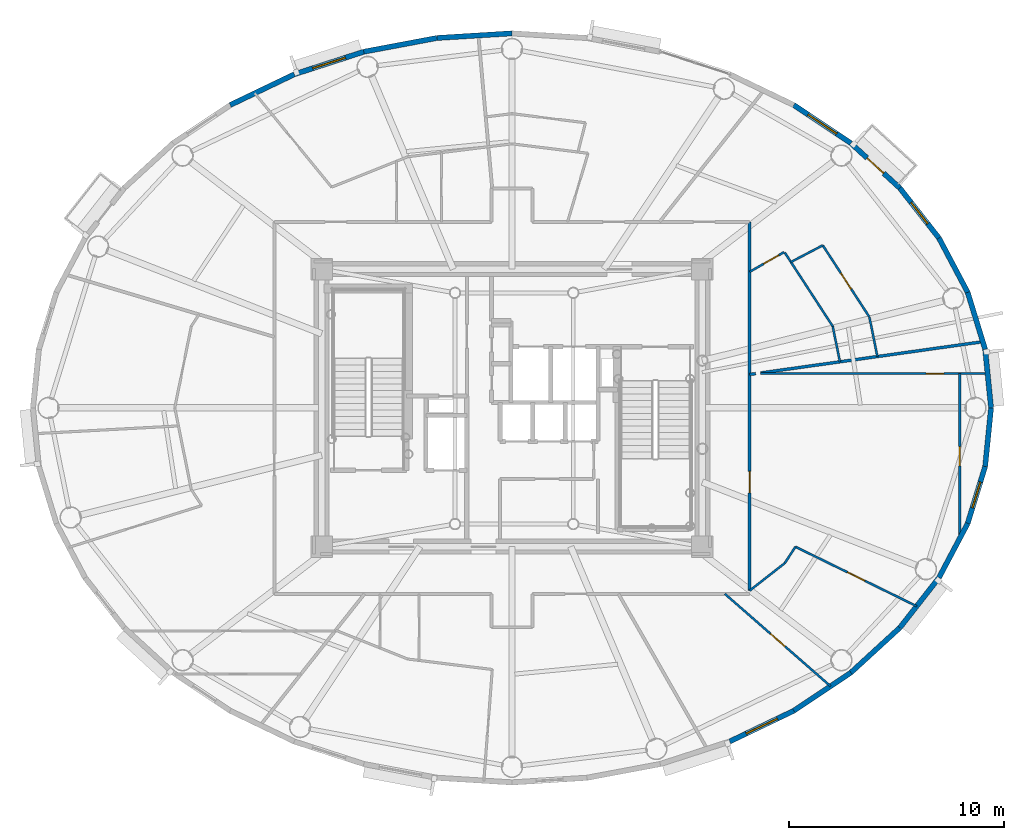
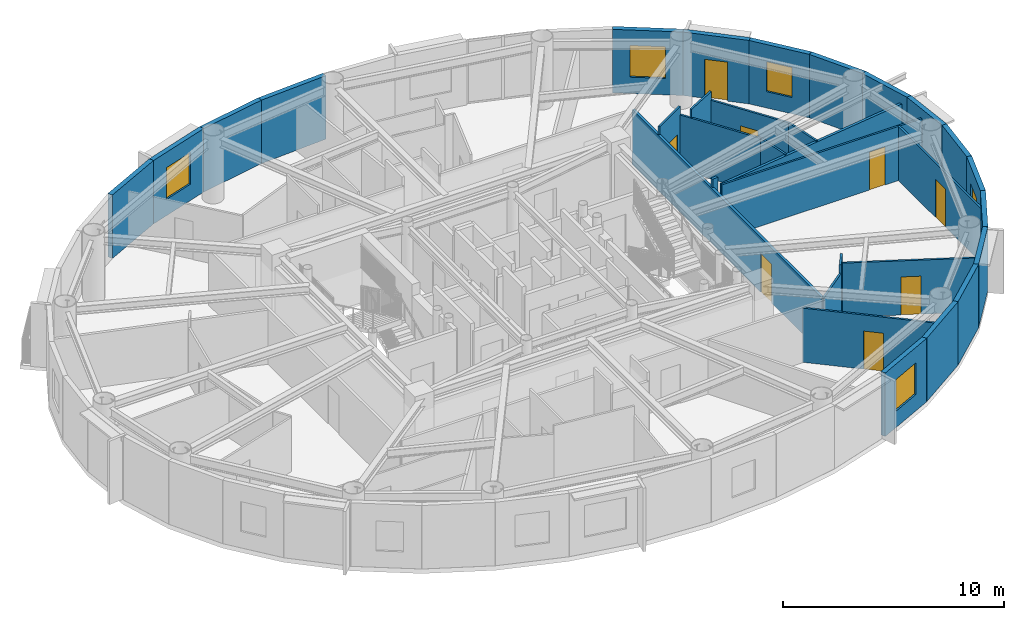
# One storey, part 9 of 17: 32 walls, 8 doors, 5 windows, 13 openings.
"""IFC4 building model written with IfcOpenShell, lengths in metres."""

from ifc_helpers import new_model, si_unit, direction, frame, frame_2d, origin, origin_2d, place, context, subcontext, project, spatial, rectangle, extrude, source, transform, mapped, material, layer, layer_set, type_object, element, fill, save


model = new_model("IFC4")

# Units and contexts
model_context = context("Model", 3, precision=1e-05, world=origin(), true_north=direction((0.0, 1.0)))
body_context = subcontext(model_context, "Body", "Model", "MODEL_VIEW")
ifc_project = project(units=[si_unit("LENGTHUNIT", "METRE"), si_unit("AREAUNIT", "SQUARE_METRE"), si_unit("VOLUMEUNIT", "CUBIC_METRE"), si_unit("PLANEANGLEUNIT", "RADIAN"), si_unit("MASSUNIT", "GRAM", prefix="KILO")], contexts=[model_context])

# Site, building, storey
site_placement = place(None, origin())
site = spatial("IfcSite", under=ifc_project, at=site_placement, CompositionType="ELEMENT")
building_placement = place(site_placement, origin())
building = spatial("IfcBuilding", under=site, at=building_placement, Name="Linh Dai School and Residence Tower", CompositionType="ELEMENT")
storey_placement = place(building_placement, frame((0.0, 0.0, 276.75)))
storey = spatial("IfcBuildingStorey", under=building, at=storey_placement, Name="L68", CompositionType="ELEMENT", Elevation=276.75)

# Walls
ifc_material_1 = material(Name="Precast Concrete B45 (C35/45)", Category="concrete")
ifc_layer_1 = layer(ifc_material_1, 0.239990234375)
ifc_layer_set_1 = layer_set([ifc_layer_1], Name="Precast Concrete B45 (C35/45)")
wall_type_1 = type_object("IfcWallType", Name="EW-TC-240", PredefinedType="SOLIDWALL", material=ifc_layer_set_1)
wall_1_placement = place(storey_placement, frame((58.001708984375, 29.718994140625, 0.0), z_axis=(0.0, 0.0, 1.0), x_axis=(0.099972526841, -0.99499019788, 0.0)))
element("IfcWall", 1, at=wall_1_placement, inside=storey, type_object=wall_type_1, Name="L68 Terracotta Exterior Wall 01", PredefinedType="SOLIDWALL", context=body_context, shape_type="SweptSolid", body=[
    extrude(rectangle(XDim=2.732666015625, YDim=0.239990234375, at=frame_2d((1.3662109375, 0.0))), origin(), (0.0, 0.0, 1.0), 3.5),
])
wall_2_placement = place(storey_placement, frame((57.188232421875, 32.372314453125, 0.0), z_axis=(0.0, 0.0, 1.0), x_axis=(0.2931213403, -0.956075248012, 0.0)))
element("IfcWall", 2, at=wall_2_placement, inside=storey, type_object=wall_type_1, Name="L68 Terracotta Exterior Wall 02", PredefinedType="SOLIDWALL", context=body_context, shape_type="SweptSolid", body=[
    extrude(rectangle(XDim=2.775146484375, YDim=0.239990234375, at=frame_2d((1.3876953125, 0.0))), origin(), (0.0, 0.0, 1.0), 3.5),
])
wall_3_placement = place(storey_placement, frame((55.853759765625, 34.894775390625, 0.0), z_axis=(0.0, 0.0, 1.0), x_axis=(0.467628269026, -0.883925224218, 0.0)))
element("IfcWall", 3, at=wall_3_placement, inside=storey, type_object=wall_type_1, Name="L68 Terracotta Exterior Wall 03", PredefinedType="SOLIDWALL", context=body_context, shape_type="SweptSolid", body=[
    extrude(rectangle(XDim=2.853759765625, YDim=0.239990234375, at=frame_2d((1.4267578125, 0.0))), origin(), (0.0, 0.0, 1.0), 3.5),
])

# Wall, opening, window
wall_4_placement = place(storey_placement, frame((54.0302734375, 37.224609375, 0.0), z_axis=(0.0, 0.0, 1.0), x_axis=(0.616337186556, -0.787482363275, 0.0)))
wall_4 = element("IfcWall", 4, at=wall_4_placement, inside=storey, type_object=wall_type_1, Name="L68 Terracotta Exterior Wall 04", PredefinedType="SOLIDWALL", context=body_context, shape_type="SweptSolid", body=[
    extrude(rectangle(XDim=2.95849609375, YDim=0.239990234375, at=frame_2d((1.479248046875, 0.0))), origin(), (0.0, 0.0, 1.0), 3.5),
])
opening_1_placement = place(wall_4_placement, frame((0.85400390625, 0.0, 0.89990234375)))
opening_1 = element("IfcOpeningElement", 5, at=opening_1_placement, cuts=wall_4, Name="Opening W3", PredefinedType="OPENING", context=body_context, shape_type="SweptSolid", body=[
    extrude(rectangle(XDim=1.25, YDim=1.64990234375, at=origin_2d()), frame((0.625, 0.1298828125, 0.824951171875), z_axis=(0.0, -1.0, 0.0), x_axis=(1.0, 0.0, 0.0)), (0.0, 0.0, 1.0), 0.260009765625),
])
ifc_material_2 = material(Name="Double Low-E Insulated Glazing", Category="glass")
window_type_1 = type_object("IfcWindowType", Name="WN-RES-1250x1650", PartitioningType="SINGLE_PANEL", PredefinedType="WINDOW", material=ifc_material_2)
shared_shape_1 = source(origin(), body_context, "Body", "SweptSolid", [
    extrude(rectangle(XDim=1.25, YDim=1.64990234375, at=origin_2d()), frame((0.625, 0.030029296875, 0.824951171875), z_axis=(0.0, -1.0, 0.0), x_axis=(1.0, 0.0, 0.0)), (0.0, 0.0, 1.0), 0.06005859375),
])
window_1_placement = place(opening_1_placement, origin())
window_1 = element("IfcWindow", 6, at=window_1_placement, inside=storey, type_object=window_type_1, Name="L68 Exterior Window 04.1", OverallHeight=1.64990234375, OverallWidth=1.25, PartitioningType="SINGLE_PANEL", PredefinedType="WINDOW", context=body_context, shape_type="MappedRepresentation", body=[
    mapped(shared_shape_1, transform((0.0, 0.0, 0.0), x_axis=(1.0, 0.0, 0.0), y_axis=(0.0, 1.0, 0.0), z_axis=(0.0, 0.0, 1.0), scale=1.0)),
])
fill(opening_1, window_1)

# Wall, opening, door
wall_5_placement = place(storey_placement, frame((51.76220703125, 39.30419921875, 0.0), z_axis=(0.0, 0.0, 1.0), x_axis=(0.737068506972, -0.675818034703, 0.0)))
wall_5 = element("IfcWall", 7, at=wall_5_placement, inside=storey, type_object=wall_type_1, Name="L68 Terracotta Exterior Wall 05", PredefinedType="SOLIDWALL", context=body_context, shape_type="SweptSolid", body=[
    extrude(rectangle(XDim=3.0771484375, YDim=0.239990234375, at=frame_2d((1.53857421875, 0.0))), origin(), (0.0, 0.0, 1.0), 3.5),
])
opening_2_placement = place(wall_5_placement, frame((1.013671875, 0.0, 0.0)))
opening_2 = element("IfcOpeningElement", 8, at=opening_2_placement, cuts=wall_5, Name="Opening BD1", PredefinedType="OPENING", context=body_context, shape_type="SweptSolid", body=[
    extrude(rectangle(XDim=1.050048828125, YDim=2.14990234375, at=origin_2d()), frame((0.52490234375, 0.1298828125, 1.074951171875), z_axis=(0.0, -1.0, 0.0), x_axis=(1.0, 0.0, 0.0)), (0.0, 0.0, 1.0), 0.260009765625),
])
ifc_material_3 = material(Name="Double-Glazed Balcony Door", Category="glass")
door_type_1 = type_object("IfcDoorType", Name="DR-BALC-1050x2150", OperationType="NOTDEFINED", PredefinedType="DOOR", material=ifc_material_3)
shared_shape_2 = source(origin(), body_context, "Body", "SweptSolid", [
    extrude(rectangle(XDim=1.050048828125, YDim=2.14990234375, at=origin_2d()), frame((0.52490234375, 0.02490234375, 1.074951171875), z_axis=(0.0, -1.0, 0.0), x_axis=(1.0, 0.0, 0.0)), (0.0, 0.0, 1.0), 0.050048828125),
])
door_1_placement = place(opening_2_placement, origin())
door_1 = element("IfcDoor", 9, at=door_1_placement, inside=storey, type_object=door_type_1, Name="L68 Glazed Balcony Door 05", OperationType="SINGLE_SWING_LEFT", OverallHeight=2.14990234375, OverallWidth=1.050048828125, PredefinedType="DOOR", context=body_context, shape_type="MappedRepresentation", body=[
    mapped(shared_shape_2, transform((0.0, 0.0, 0.0), x_axis=(1.0, 0.0, 0.0), y_axis=(0.0, 1.0, 0.0), z_axis=(0.0, 0.0, 1.0), scale=1.0)),
])
fill(opening_2, door_1)

# Wall, opening, window
wall_6_placement = place(storey_placement, frame((49.1044921875, 41.08154296875, 0.0), z_axis=(0.0, 0.0, 1.0), x_axis=(0.831250592635, -0.55589787933, 0.0)))
wall_6 = element("IfcWall", 10, at=wall_6_placement, inside=storey, type_object=wall_type_1, Name="L68 Terracotta Exterior Wall 06", PredefinedType="SOLIDWALL", context=body_context, shape_type="SweptSolid", body=[
    extrude(rectangle(XDim=3.197265625, YDim=0.239990234375, at=frame_2d((1.5986328125, 0.0))), origin(), (0.0, 0.0, 1.0), 3.5),
])
opening_3_placement = place(wall_6_placement, frame((0.79833984375, 0.0, 0.89990234375)))
opening_3 = element("IfcOpeningElement", 11, at=opening_3_placement, cuts=wall_6, Name="Opening W2", PredefinedType="OPENING", context=body_context, shape_type="SweptSolid", body=[
    extrude(rectangle(XDim=1.60009765625, YDim=1.75, at=origin_2d()), frame((0.800048828125, 0.1298828125, 0.875), z_axis=(0.0, -1.0, 0.0), x_axis=(1.0, 0.0, 0.0)), (0.0, 0.0, 1.0), 0.260009765625),
])
window_type_2 = type_object("IfcWindowType", Name="WN-RES-1600x1750", PartitioningType="DOUBLE_PANEL_VERTICAL", PredefinedType="WINDOW", material=ifc_material_2)
shared_shape_3 = source(origin(), body_context, "Body", "SweptSolid", [
    extrude(rectangle(XDim=1.60009765625, YDim=1.75, at=origin_2d()), frame((0.800048828125, 0.030029296875, 0.875), z_axis=(0.0, -1.0, 0.0), x_axis=(1.0, 0.0, 0.0)), (0.0, 0.0, 1.0), 0.06005859375),
])
window_2_placement = place(opening_3_placement, origin())
window_2 = element("IfcWindow", 12, at=window_2_placement, inside=storey, type_object=window_type_2, Name="L68 Exterior Window 06.1", OverallHeight=1.75, OverallWidth=1.60009765625, PartitioningType="DOUBLE_PANEL_VERTICAL", PredefinedType="WINDOW", context=body_context, shape_type="MappedRepresentation", body=[
    mapped(shared_shape_3, transform((0.0, 0.0, 0.0), x_axis=(1.0, 0.0, 0.0), y_axis=(0.0, 1.0, 0.0), z_axis=(0.0, 0.0, 1.0), scale=1.0)),
])
fill(opening_3, window_2)

# Walls
wall_7_placement = place(storey_placement, frame((32.51123046875, 44.199951171875, 0.0), z_axis=(0.0, 0.0, 1.0), x_axis=(0.998104946479, 0.061534671648, 0.0)))
element("IfcWall", 13, at=wall_7_placement, inside=storey, type_object=wall_type_1, Name="L68 Terracotta Exterior Wall 11", PredefinedType="SOLIDWALL", context=body_context, shape_type="SweptSolid", body=[
    extrude(rectangle(XDim=3.495361328125, YDim=0.239990234375, at=frame_2d((1.74755859375, 0.0))), origin(), (0.0, 0.0, 1.0), 3.5),
])
wall_8_placement = place(storey_placement, frame((29.10888671875, 43.560302734375, 0.0), z_axis=(0.0, 0.0, 1.0), x_axis=(0.982782655757, 0.184765395959, 0.0)))
element("IfcWall", 14, at=wall_8_placement, inside=storey, type_object=wall_type_1, Name="L68 Terracotta Exterior Wall 12", PredefinedType="SOLIDWALL", context=body_context, shape_type="SweptSolid", body=[
    extrude(rectangle(XDim=3.4619140625, YDim=0.239990234375, at=frame_2d((1.73095703125, 0.0))), origin(), (0.0, 0.0, 1.0), 3.5),
])

# Wall, opening, window
wall_9_placement = place(storey_placement, frame((25.876953125, 42.51220703125, 0.0), z_axis=(0.0, 0.0, 1.0), x_axis=(0.95123136723, 0.308478339592, 0.0)))
wall_9 = element("IfcWall", 15, at=wall_9_placement, inside=storey, type_object=wall_type_1, Name="L68 Terracotta Exterior Wall 13", PredefinedType="SOLIDWALL", context=body_context, shape_type="SweptSolid", body=[
    extrude(rectangle(XDim=3.397705078125, YDim=0.239990234375, at=frame_2d((1.69873046875, 0.0))), origin(), (0.0, 0.0, 1.0), 3.5),
])
opening_4_placement = place(wall_9_placement, frame((0.89892578125, 0.0, 0.89990234375)))
opening_4 = element("IfcOpeningElement", 16, at=opening_4_placement, cuts=wall_9, Name="Opening W2", PredefinedType="OPENING", context=body_context, shape_type="SweptSolid", body=[
    extrude(rectangle(XDim=1.60009765625, YDim=1.75, at=origin_2d()), frame((0.800048828125, 0.1298828125, 0.875), z_axis=(0.0, -1.0, 0.0), x_axis=(1.0, 0.0, 0.0)), (0.0, 0.0, 1.0), 0.260009765625),
])
window_3_placement = place(opening_4_placement, origin())
window_3 = element("IfcWindow", 17, at=window_3_placement, inside=storey, type_object=window_type_2, Name="L68 Exterior Window 13.1", OverallHeight=1.75, OverallWidth=1.60009765625, PartitioningType="DOUBLE_PANEL_VERTICAL", PredefinedType="WINDOW", context=body_context, shape_type="MappedRepresentation", body=[
    mapped(shared_shape_3, transform((0.0, 0.0, 0.0), x_axis=(1.0, 0.0, 0.0), y_axis=(0.0, 1.0, 0.0), z_axis=(0.0, 0.0, 1.0), scale=1.0)),
])
fill(opening_4, window_3)

# Wall
wall_10_placement = place(storey_placement, frame((22.8955078125, 41.08154296875, 0.0), z_axis=(0.0, 0.0, 1.0), x_axis=(0.901573741254, 0.43262546051, 0.0)))
element("IfcWall", 18, at=wall_10_placement, inside=storey, type_object=wall_type_1, Name="L68 Terracotta Exterior Wall 14", PredefinedType="SOLIDWALL", context=body_context, shape_type="SweptSolid", body=[
    extrude(rectangle(XDim=3.306884765625, YDim=0.239990234375, at=frame_2d((1.6533203125, 0.0))), origin(), (0.0, 0.0, 1.0), 3.5),
])

# Wall, opening, window
wall_11_placement = place(storey_placement, frame((49.1044921875, 12.91845703125, 0.0), z_axis=(0.0, 0.0, 1.0), x_axis=(-0.901573741254, -0.43262546051, 0.0)))
wall_11 = element("IfcWall", 19, at=wall_11_placement, inside=storey, type_object=wall_type_1, Name="L68 Terracotta Exterior Wall 34", PredefinedType="SOLIDWALL", context=body_context, shape_type="SweptSolid", body=[
    extrude(rectangle(XDim=3.306884765625, YDim=0.239990234375, at=frame_2d((1.6533203125, 0.0))), origin(), (0.0, 0.0, 1.0), 3.5),
])
opening_5_placement = place(wall_11_placement, frame((0.853515625, 0.0, 0.89990234375)))
opening_5 = element("IfcOpeningElement", 20, at=opening_5_placement, cuts=wall_11, Name="Opening W2", PredefinedType="OPENING", context=body_context, shape_type="SweptSolid", body=[
    extrude(rectangle(XDim=1.60009765625, YDim=1.75, at=origin_2d()), frame((0.800048828125, 0.1298828125, 0.875), z_axis=(0.0, -1.0, 0.0), x_axis=(1.0, 0.0, 0.0)), (0.0, 0.0, 1.0), 0.260009765625),
])
window_4_placement = place(opening_5_placement, origin())
window_4 = element("IfcWindow", 21, at=window_4_placement, inside=storey, type_object=window_type_2, Name="L68 Exterior Window 34.1", OverallHeight=1.75, OverallWidth=1.60009765625, PartitioningType="DOUBLE_PANEL_VERTICAL", PredefinedType="WINDOW", context=body_context, shape_type="MappedRepresentation", body=[
    mapped(shared_shape_3, transform((0.0, 0.0, 0.0), x_axis=(1.0, 0.0, 0.0), y_axis=(0.0, 1.0, 0.0), z_axis=(0.0, 0.0, 1.0), scale=1.0)),
])
fill(opening_5, window_4)

# Walls
wall_12_placement = place(storey_placement, frame((51.76220703125, 14.69580078125, 0.0), z_axis=(0.0, 0.0, 1.0), x_axis=(-0.831250592635, -0.55589787933, 0.0)))
element("IfcWall", 22, at=wall_12_placement, inside=storey, type_object=wall_type_1, Name="L68 Terracotta Exterior Wall 35", PredefinedType="SOLIDWALL", context=body_context, shape_type="SweptSolid", body=[
    extrude(rectangle(XDim=3.197265625, YDim=0.239990234375, at=frame_2d((1.5986328125, 0.0))), origin(), (0.0, 0.0, 1.0), 3.5),
])
wall_13_placement = place(storey_placement, frame((54.0302734375, 16.775390625, 0.0), z_axis=(0.0, 0.0, 1.0), x_axis=(-0.737068506972, -0.675818034703, 0.0)))
element("IfcWall", 23, at=wall_13_placement, inside=storey, type_object=wall_type_1, Name="L68 Terracotta Exterior Wall 36", PredefinedType="SOLIDWALL", context=body_context, shape_type="SweptSolid", body=[
    extrude(rectangle(XDim=3.0771484375, YDim=0.239990234375, at=frame_2d((1.53857421875, 0.0))), origin(), (0.0, 0.0, 1.0), 3.5),
])
wall_14_placement = place(storey_placement, frame((55.853759765625, 19.105224609375, 0.0), z_axis=(0.0, 0.0, 1.0), x_axis=(-0.616337186556, -0.787482363275, 0.0)))
element("IfcWall", 24, at=wall_14_placement, inside=storey, type_object=wall_type_1, Name="L68 Terracotta Exterior Wall 37", PredefinedType="SOLIDWALL", context=body_context, shape_type="SweptSolid", body=[
    extrude(rectangle(XDim=2.95849609375, YDim=0.239990234375, at=frame_2d((1.479248046875, 0.0))), origin(), (0.0, 0.0, 1.0), 3.5),
])
wall_15_placement = place(storey_placement, frame((57.188232421875, 21.627685546875, 0.0), z_axis=(0.0, 0.0, 1.0), x_axis=(-0.467628269026, -0.883925224218, 0.0)))
element("IfcWall", 25, at=wall_15_placement, inside=storey, type_object=wall_type_1, Name="L68 Terracotta Exterior Wall 38", PredefinedType="SOLIDWALL", context=body_context, shape_type="SweptSolid", body=[
    extrude(rectangle(XDim=2.853759765625, YDim=0.239990234375, at=frame_2d((1.4267578125, 0.0))), origin(), (0.0, 0.0, 1.0), 3.5),
])

# Wall, opening, window
wall_16_placement = place(storey_placement, frame((58.001708984375, 24.281005859375, 0.0), z_axis=(0.0, 0.0, 1.0), x_axis=(-0.2931213403, -0.956075248012, 0.0)))
wall_16 = element("IfcWall", 26, at=wall_16_placement, inside=storey, type_object=wall_type_1, Name="L68 Terracotta Exterior Wall 39", PredefinedType="SOLIDWALL", context=body_context, shape_type="SweptSolid", body=[
    extrude(rectangle(XDim=2.775146484375, YDim=0.239990234375, at=frame_2d((1.3876953125, 0.0))), origin(), (0.0, 0.0, 1.0), 3.5),
])
opening_6_placement = place(wall_16_placement, frame((0.7626953125, 0.0, 0.89990234375)))
opening_6 = element("IfcOpeningElement", 27, at=opening_6_placement, cuts=wall_16, Name="Opening W3", PredefinedType="OPENING", context=body_context, shape_type="SweptSolid", body=[
    extrude(rectangle(XDim=1.25, YDim=1.64990234375, at=origin_2d()), frame((0.625, 0.1298828125, 0.824951171875), z_axis=(0.0, -1.0, 0.0), x_axis=(1.0, 0.0, 0.0)), (0.0, 0.0, 1.0), 0.260009765625),
])
window_5_placement = place(opening_6_placement, origin())
window_5 = element("IfcWindow", 28, at=window_5_placement, inside=storey, type_object=window_type_1, Name="L68 Exterior Window 39.1", OverallHeight=1.64990234375, OverallWidth=1.25, PartitioningType="SINGLE_PANEL", PredefinedType="WINDOW", context=body_context, shape_type="MappedRepresentation", body=[
    mapped(shared_shape_1, transform((0.0, 0.0, 0.0), x_axis=(1.0, 0.0, 0.0), y_axis=(0.0, 1.0, 0.0), z_axis=(0.0, 0.0, 1.0), scale=1.0)),
])
fill(opening_6, window_5)

# Wall
wall_17_placement = place(storey_placement, frame((58.27490234375, 27.0, 0.0), z_axis=(0.0, 0.0, 1.0), x_axis=(-0.099972526841, -0.99499019788, 0.0)))
element("IfcWall", 29, at=wall_17_placement, inside=storey, type_object=wall_type_1, Name="L68 Terracotta Exterior Wall 40", PredefinedType="SOLIDWALL", context=body_context, shape_type="SweptSolid", body=[
    extrude(rectangle(XDim=2.732666015625, YDim=0.239990234375, at=frame_2d((1.3662109375, 0.0))), origin(), (0.0, 0.0, 1.0), 3.5),
])

# Wall, opening, door
ifc_material_4 = material(Name="Autoclaved Aerated Concrete Blockwork", Category="masonry")
ifc_layer_2 = layer(ifc_material_4, 0.135009765625)
ifc_layer_set_2 = layer_set([ifc_layer_2], Name="Autoclaved Aerated Concrete Blockwork")
wall_type_2 = type_object("IfcWallType", Name="IW-CORR-135-EI90", PredefinedType="PARTITIONING", material=ifc_layer_set_2)
wall_18_placement = place(storey_placement, frame((47.050048828125, 18.502685546875, 0.0), z_axis=(0.0, 0.0, 1.0), x_axis=(0.0, 1.0, 0.0)))
wall_18 = element("IfcWall", 30, at=wall_18_placement, inside=storey, type_object=wall_type_2, Name="L68 Interior Partition Wall 071", PredefinedType="PARTITIONING", context=body_context, shape_type="SweptSolid", body=[
    extrude(rectangle(XDim=17.147216796875, YDim=0.135009765625, at=frame_2d((8.57373046875, 0.0))), origin(), (0.0, 0.0, 1.0), 3.034912109375),
])
opening_7_placement = place(wall_18_placement, frame((4.545166015625, 0.0, 0.0)))
opening_7 = element("IfcOpeningElement", 31, at=opening_7_placement, cuts=wall_18, Name="Opening D03", PredefinedType="OPENING", context=body_context, shape_type="SweptSolid", body=[
    extrude(rectangle(XDim=1.0, YDim=2.14990234375, at=origin_2d()), frame((0.5, 0.07763671875, 1.074951171875), z_axis=(0.0, -1.0, 0.0), x_axis=(1.0, 0.0, 0.0)), (0.0, 0.0, 1.0), 0.155029296875),
])
ifc_material_5 = material(Name="Fire-Rated Solid Timber Entrance Door", Category="wood")
door_type_2 = type_object("IfcDoorType", Name="DR-FLAT-1000x2150-FD60S", OperationType="NOTDEFINED", PredefinedType="DOOR", material=ifc_material_5)
shared_shape_4 = source(origin(), body_context, "Body", "SweptSolid", [
    extrude(rectangle(XDim=1.0, YDim=2.14990234375, at=origin_2d()), frame((0.5, 0.02490234375, 1.074951171875), z_axis=(0.0, -1.0, 0.0), x_axis=(1.0, 0.0, 0.0)), (0.0, 0.0, 1.0), 0.050048828125),
])
door_2_placement = place(opening_7_placement, origin())
door_2 = element("IfcDoor", 32, at=door_2_placement, inside=storey, type_object=door_type_2, Name="L68 U6806 Apartment Entrance Door", OperationType="SINGLE_SWING_LEFT", OverallHeight=2.14990234375, OverallWidth=1.0, PredefinedType="DOOR", context=body_context, shape_type="MappedRepresentation", body=[
    mapped(shared_shape_4, transform((0.0, 0.0, 0.0), x_axis=(1.0, 0.0, 0.0), y_axis=(0.0, 1.0, 0.0), z_axis=(0.0, 0.0, 1.0), scale=1.0)),
])
fill(opening_7, door_2)

# Walls
wall_19_placement = place(storey_placement, frame((47.050048828125, 28.552978515625, 0.0), z_axis=(0.0, 0.0, 1.0), x_axis=(0.990308552968, 0.138884736087, 0.0)))
element("IfcWall", 33, at=wall_19_placement, inside=storey, type_object=wall_type_2, Name="L68 Interior Partition Wall 073", PredefinedType="PARTITIONING", context=body_context, shape_type="SweptSolid", body=[
    extrude(rectangle(XDim=0.282958984375, YDim=0.135009765625, at=frame_2d((0.1416015625, 0.0))), origin(), (0.0, 0.0, 1.0), 3.5),
])
wall_20_placement = place(storey_placement, frame((47.56201171875, 28.625, 0.0), z_axis=(0.0, 0.0, 1.0), x_axis=(0.990269276455, 0.139164507362, 0.0)))
element("IfcWall", 34, at=wall_20_placement, inside=storey, type_object=wall_type_2, Name="L68 Interior Partition Wall 075", PredefinedType="PARTITIONING", context=body_context, shape_type="SweptSolid", body=[
    extrude(rectangle(XDim=10.4365234375, YDim=0.135009765625, at=frame_2d((5.21826171875, 0.0))), origin(), (0.0, 0.0, 1.0), 2.985107421875),
])

# Wall, opening, door
ifc_material_6 = material(Name="Gypsum Plasterboard Acoustic Stud Partition", Category="masonry")
ifc_layer_3 = layer(ifc_material_6, 0.10009765625)
ifc_layer_set_3 = layer_set([ifc_layer_3], Name="Gypsum Plasterboard Acoustic Stud Partition")
wall_type_3 = type_object("IfcWallType", Name="IW-UNIT-100", PredefinedType="PARTITIONING", material=ifc_layer_set_3)
wall_21_placement = place(storey_placement, frame((45.90087890625, 18.35009765625, 0.0), z_axis=(0.0, 0.0, 1.0), x_axis=(0.753056223084, -0.657956172457, 0.0)))
wall_21 = element("IfcWall", 35, at=wall_21_placement, inside=storey, type_object=wall_type_3, Name="L68 Interior Partition Wall 070", PredefinedType="PARTITIONING", context=body_context, shape_type="SweptSolid", body=[
    extrude(rectangle(XDim=6.52587890625, YDim=0.10009765625, at=frame_2d((3.262939453125, 0.0))), origin(), (0.0, 0.0, 1.0), 2.985107421875),
])
opening_8_placement = place(wall_21_placement, frame((2.81298828125, 0.0, 0.0)))
opening_8 = element("IfcOpeningElement", 36, at=opening_8_placement, cuts=wall_21, Name="Opening D05", PredefinedType="OPENING", context=body_context, shape_type="SweptSolid", body=[
    extrude(rectangle(XDim=0.89990234375, YDim=2.10009765625, at=origin_2d()), frame((0.449951171875, 0.06005859375, 1.050048828125), z_axis=(0.0, -1.0, 0.0), x_axis=(1.0, 0.0, 0.0)), (0.0, 0.0, 1.0), 0.1201171875),
])
ifc_material_7 = material(Name="Engineered Timber Internal Door", Category="wood")
door_type_3 = type_object("IfcDoorType", Name="DR-INT-900x2100", OperationType="NOTDEFINED", PredefinedType="DOOR", material=ifc_material_7)
shared_shape_5 = source(origin(), body_context, "Body", "SweptSolid", [
    extrude(rectangle(XDim=0.89990234375, YDim=2.10009765625, at=origin_2d()), frame((0.449951171875, 0.02490234375, 1.050048828125), z_axis=(0.0, -1.0, 0.0), x_axis=(1.0, 0.0, 0.0)), (0.0, 0.0, 1.0), 0.050048828125),
])
door_3_placement = place(opening_8_placement, origin())
door_3 = element("IfcDoor", 37, at=door_3_placement, inside=storey, type_object=door_type_3, Name="L68 Apartment U6806 Principal Bedroom 1 Door", OperationType="SINGLE_SWING_LEFT", OverallHeight=2.10009765625, OverallWidth=0.89990234375, PredefinedType="DOOR", context=body_context, shape_type="MappedRepresentation", body=[
    mapped(shared_shape_5, transform((0.0, 0.0, 0.0), x_axis=(1.0, 0.0, 0.0), y_axis=(0.0, 1.0, 0.0), z_axis=(0.0, 0.0, 1.0), scale=1.0)),
])
fill(opening_8, door_3)

# Wall
wall_22_placement = place(storey_placement, frame((47.050048828125, 18.502685546875, 0.0), z_axis=(0.0, 0.0, 1.0), x_axis=(0.787328855274, 0.616533270516, 0.0)))
element("IfcWall", 38, at=wall_22_placement, inside=storey, type_object=wall_type_3, Name="L68 Interior Partition Wall 072", PredefinedType="PARTITIONING", context=body_context, shape_type="SweptSolid", body=[
    extrude(rectangle(XDim=2.076904296875, YDim=0.10009765625, at=frame_2d((1.03857421875, 0.0))), origin(), (0.0, 0.0, 1.0), 3.034912109375),
])

# Wall, opening, door
wall_23_placement = place(storey_placement, frame((47.050048828125, 33.32568359375, 0.0), z_axis=(0.0, 0.0, 1.0), x_axis=(0.867827775188, 0.496865125172, 0.0)))
wall_23 = element("IfcWall", 39, at=wall_23_placement, inside=storey, type_object=wall_type_3, Name="L68 Interior Partition Wall 074", PredefinedType="PARTITIONING", context=body_context, shape_type="SweptSolid", body=[
    extrude(rectangle(XDim=1.845947265625, YDim=0.10009765625, at=frame_2d((0.9228515625, 0.0))), origin(), (0.0, 0.0, 1.0), 3.5),
])
opening_9_placement = place(wall_23_placement, frame((0.748779296875, 0.0, 0.0)))
opening_9 = element("IfcOpeningElement", 40, at=opening_9_placement, cuts=wall_23, Name="Opening D06", PredefinedType="OPENING", context=body_context, shape_type="SweptSolid", body=[
    extrude(rectangle(XDim=0.820068359375, YDim=2.10009765625, at=origin_2d()), frame((0.41015625, 0.06005859375, 1.050048828125), z_axis=(0.0, -1.0, 0.0), x_axis=(1.0, 0.0, 0.0)), (0.0, 0.0, 1.0), 0.1201171875),
])
ifc_material_8 = material(Name="Moisture-Resistant Timber Bathroom Door", Category="wood")
door_type_4 = type_object("IfcDoorType", Name="DR-WET-820x2100", OperationType="NOTDEFINED", PredefinedType="DOOR", material=ifc_material_8)
shared_shape_6 = source(origin(), body_context, "Body", "SweptSolid", [
    extrude(rectangle(XDim=0.820068359375, YDim=2.10009765625, at=origin_2d()), frame((0.41015625, 0.02490234375, 1.050048828125), z_axis=(0.0, -1.0, 0.0), x_axis=(1.0, 0.0, 0.0)), (0.0, 0.0, 1.0), 0.050048828125),
])
door_4_placement = place(opening_9_placement, origin())
door_4 = element("IfcDoor", 41, at=door_4_placement, inside=storey, type_object=door_type_4, Name="L68 Apartment U6801 Bathroom Door", OperationType="SINGLE_SWING_LEFT", OverallHeight=2.10009765625, OverallWidth=0.820068359375, PredefinedType="DOOR", context=body_context, shape_type="MappedRepresentation", body=[
    mapped(shared_shape_6, transform((0.0, 0.0, 0.0), x_axis=(1.0, 0.0, 0.0), y_axis=(0.0, 1.0, 0.0), z_axis=(0.0, 0.0, 1.0), scale=1.0)),
])
fill(opening_9, door_4)

wall_24_placement = place(storey_placement, frame((47.564453125, 28.59228515625, 0.0), z_axis=(0.0, 0.0, 1.0), x_axis=(1.0, 0.0, 0.0)))
wall_24 = element("IfcWall", 42, at=wall_24_placement, inside=storey, type_object=wall_type_3, Name="L68 Interior Partition Wall 076", PredefinedType="PARTITIONING", context=body_context, shape_type="SweptSolid", body=[
    extrude(rectangle(XDim=10.555419921875, YDim=0.10009765625, at=frame_2d((5.27783203125, 0.0))), origin(), (0.0, 0.0, 1.0), 2.985107421875),
])
opening_10_placement = place(wall_24_placement, frame((7.69482421875, 0.0, 0.0)))
opening_10 = element("IfcOpeningElement", 43, at=opening_10_placement, cuts=wall_24, Name="Opening D06", PredefinedType="OPENING", context=body_context, shape_type="SweptSolid", body=[
    extrude(rectangle(XDim=0.820068359375, YDim=2.10009765625, at=origin_2d()), frame((0.41015625, 0.06005859375, 1.050048828125), z_axis=(0.0, -1.0, 0.0), x_axis=(1.0, 0.0, 0.0)), (0.0, 0.0, 1.0), 0.1201171875),
])
door_5_placement = place(opening_10_placement, origin())
door_5 = element("IfcDoor", 44, at=door_5_placement, inside=storey, type_object=door_type_4, Name="L68 Apartment U6806 Bathroom 1 Door", OperationType="SINGLE_SWING_LEFT", OverallHeight=2.10009765625, OverallWidth=0.820068359375, PredefinedType="DOOR", context=body_context, shape_type="MappedRepresentation", body=[
    mapped(shared_shape_6, transform((0.0, 0.0, 0.0), x_axis=(1.0, 0.0, 0.0), y_axis=(0.0, 1.0, 0.0), z_axis=(0.0, 0.0, 1.0), scale=1.0)),
])
fill(opening_10, door_5)

# Walls
wall_25_placement = place(storey_placement, frame((48.685302734375, 19.783203125, 0.0), z_axis=(0.0, 0.0, 1.0), x_axis=(0.545519027777, 0.838098437138, 0.0)))
element("IfcWall", 45, at=wall_25_placement, inside=storey, type_object=wall_type_3, Name="L68 Interior Partition Wall 077", PredefinedType="PARTITIONING", context=body_context, shape_type="SweptSolid", body=[
    extrude(rectangle(XDim=0.9052734375, YDim=0.10009765625, at=frame_2d((0.45263671875, 0.0))), origin(), (0.0, 0.0, 1.0), 3.5),
])
wall_26_placement = place(storey_placement, frame((48.685302734375, 34.216796875, 0.0), z_axis=(0.0, 0.0, 1.0), x_axis=(0.54540855562, -0.8381703332, 0.0)))
element("IfcWall", 46, at=wall_26_placement, inside=storey, type_object=wall_type_3, Name="L68 Interior Partition Wall 078", PredefinedType="PARTITIONING", context=body_context, shape_type="SweptSolid", body=[
    extrude(rectangle(XDim=4.083740234375, YDim=0.10009765625, at=frame_2d((2.0419921875, 0.0))), origin(), (0.0, 0.0, 1.0), 3.034912109375),
])
wall_27_placement = place(storey_placement, frame((48.968017578125, 33.782470703125, 0.0), z_axis=(0.0, 0.0, 1.0), x_axis=(0.886102824681, 0.463488709779, 0.0)))
element("IfcWall", 47, at=wall_27_placement, inside=storey, type_object=wall_type_3, Name="L68 Interior Partition Wall 079", PredefinedType="PARTITIONING", context=body_context, shape_type="SweptSolid", body=[
    extrude(rectangle(XDim=1.67236328125, YDim=0.10009765625, at=frame_2d((0.836181640625, 0.0))), origin(), (0.0, 0.0, 1.0), 3.5),
])

# Wall, opening, door
wall_28_placement = place(storey_placement, frame((49.17919921875, 20.5419921875, 0.0), z_axis=(0.0, 0.0, 1.0), x_axis=(0.89799659679, -0.440002400167, 0.0)))
wall_28 = element("IfcWall", 48, at=wall_28_placement, inside=storey, type_object=wall_type_3, Name="L68 Interior Partition Wall 080", PredefinedType="PARTITIONING", context=body_context, shape_type="SweptSolid", body=[
    extrude(rectangle(XDim=6.28271484375, YDim=0.10009765625, at=frame_2d((3.141357421875, 0.0))), origin(), (0.0, 0.0, 1.0), 2.985107421875),
])
opening_11_placement = place(wall_28_placement, frame((2.69140625, 0.0, 0.0)))
opening_11 = element("IfcOpeningElement", 49, at=opening_11_placement, cuts=wall_28, Name="Opening D05", PredefinedType="OPENING", context=body_context, shape_type="SweptSolid", body=[
    extrude(rectangle(XDim=0.89990234375, YDim=2.10009765625, at=origin_2d()), frame((0.449951171875, 0.06005859375, 1.050048828125), z_axis=(0.0, -1.0, 0.0), x_axis=(1.0, 0.0, 0.0)), (0.0, 0.0, 1.0), 0.1201171875),
])
door_6_placement = place(opening_11_placement, origin())
door_6 = element("IfcDoor", 50, at=door_6_placement, inside=storey, type_object=door_type_3, Name="L68 Apartment U6806 Study Door", OperationType="SINGLE_SWING_RIGHT", OverallHeight=2.10009765625, OverallWidth=0.89990234375, PredefinedType="DOOR", context=body_context, shape_type="MappedRepresentation", body=[
    mapped(shared_shape_5, transform((0.0, 0.0, 0.0), x_axis=(1.0, 0.0, 0.0), y_axis=(0.0, 1.0, 0.0), z_axis=(0.0, 0.0, 1.0), scale=1.0)),
])
fill(opening_11, door_6)

wall_29_placement = place(storey_placement, frame((50.449951171875, 34.5576171875, 0.0), z_axis=(0.0, 0.0, 1.0), x_axis=(0.545448348881, -0.838144437853, 0.0)))
wall_29 = element("IfcWall", 51, at=wall_29_placement, inside=storey, type_object=wall_type_3, Name="L68 Interior Partition Wall 081", PredefinedType="PARTITIONING", context=body_context, shape_type="SweptSolid", body=[
    extrude(rectangle(XDim=3.972900390625, YDim=0.10009765625, at=frame_2d((1.986328125, 0.0))), origin(), (0.0, 0.0, 1.0), 3.034912109375),
])
opening_12_placement = place(wall_29_placement, frame((1.536376953125, 0.0, 0.0)))
opening_12 = element("IfcOpeningElement", 52, at=opening_12_placement, cuts=wall_29, Name="Opening D05", PredefinedType="OPENING", context=body_context, shape_type="SweptSolid", body=[
    extrude(rectangle(XDim=0.89990234375, YDim=2.10009765625, at=origin_2d()), frame((0.449951171875, 0.06005859375, 1.050048828125), z_axis=(0.0, -1.0, 0.0), x_axis=(1.0, 0.0, 0.0)), (0.0, 0.0, 1.0), 0.1201171875),
])
door_7_placement = place(opening_12_placement, origin())
door_7 = element("IfcDoor", 53, at=door_7_placement, inside=storey, type_object=door_type_3, Name="L68 Apartment U6801 Kitchen Door", OperationType="SINGLE_SWING_RIGHT", OverallHeight=2.10009765625, OverallWidth=0.89990234375, PredefinedType="DOOR", context=body_context, shape_type="MappedRepresentation", body=[
    mapped(shared_shape_5, transform((0.0, 0.0, 0.0), x_axis=(1.0, 0.0, 0.0), y_axis=(0.0, 1.0, 0.0), z_axis=(0.0, 0.0, 1.0), scale=1.0)),
])
fill(opening_12, door_7)

# Walls
wall_30_placement = place(storey_placement, frame((50.91259765625, 30.794189453125, 0.0), z_axis=(0.0, 0.0, 1.0), x_axis=(0.198233557602, -0.980154812588, 0.0)))
element("IfcWall", 54, at=wall_30_placement, inside=storey, type_object=wall_type_3, Name="L68 Interior Partition Wall 082", PredefinedType="PARTITIONING", context=body_context, shape_type="SweptSolid", body=[
    extrude(rectangle(XDim=1.684814453125, YDim=0.10009765625, at=frame_2d((0.84228515625, 0.0))), origin(), (0.0, 0.0, 1.0), 3.034912109375),
])
wall_31_placement = place(storey_placement, frame((52.616943359375, 31.227783203125, 0.0), z_axis=(0.0, 0.0, 1.0), x_axis=(0.198191443997, -0.980163329005, 0.0)))
element("IfcWall", 55, at=wall_31_placement, inside=storey, type_object=wall_type_3, Name="L68 Interior Partition Wall 083", PredefinedType="PARTITIONING", context=body_context, shape_type="SweptSolid", body=[
    extrude(rectangle(XDim=1.87744140625, YDim=0.10009765625, at=frame_2d((0.938720703125, 0.0))), origin(), (0.0, 0.0, 1.0), 3.034912109375),
])

# Wall, opening, door
wall_32_placement = place(storey_placement, frame((56.818115234375, 20.917236328125, 0.0), z_axis=(0.0, 0.0, 1.0), x_axis=(0.0, 1.0, 0.0)))
wall_32 = element("IfcWall", 56, at=wall_32_placement, inside=storey, type_object=wall_type_3, Name="L68 Interior Partition Wall 084", PredefinedType="PARTITIONING", context=body_context, shape_type="SweptSolid", body=[
    extrude(rectangle(XDim=7.675048828125, YDim=0.10009765625, at=frame_2d((3.83740234375, 0.0))), origin(), (0.0, 0.0, 1.0), 2.985107421875),
])
opening_13_placement = place(wall_32_placement, frame((3.3876953125, 0.0, 0.0)))
opening_13 = element("IfcOpeningElement", 57, at=opening_13_placement, cuts=wall_32, Name="Opening D05", PredefinedType="OPENING", context=body_context, shape_type="SweptSolid", body=[
    extrude(rectangle(XDim=0.89990234375, YDim=2.10009765625, at=origin_2d()), frame((0.449951171875, 0.06005859375, 1.050048828125), z_axis=(0.0, -1.0, 0.0), x_axis=(1.0, 0.0, 0.0)), (0.0, 0.0, 1.0), 0.1201171875),
])
door_8_placement = place(opening_13_placement, origin())
door_8 = element("IfcDoor", 58, at=door_8_placement, inside=storey, type_object=door_type_3, Name="L68 Apartment U6806 Kitchen Door", OperationType="SINGLE_SWING_RIGHT", OverallHeight=2.10009765625, OverallWidth=0.89990234375, PredefinedType="DOOR", context=body_context, shape_type="MappedRepresentation", body=[
    mapped(shared_shape_5, transform((0.0, 0.0, 0.0), x_axis=(1.0, 0.0, 0.0), y_axis=(0.0, 1.0, 0.0), z_axis=(0.0, 0.0, 1.0), scale=1.0)),
])
fill(opening_13, door_8)

save(model, "model.ifc")
